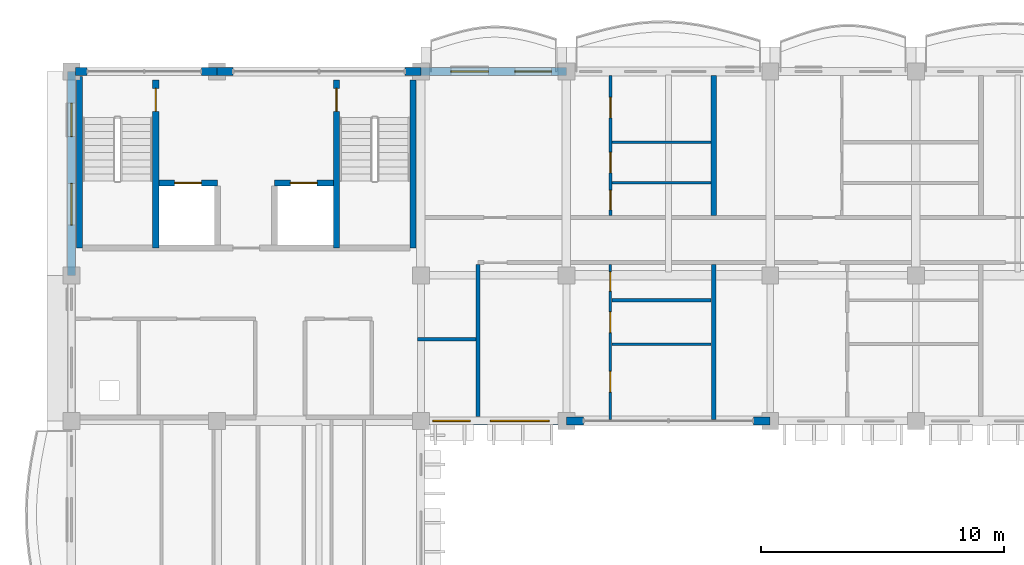
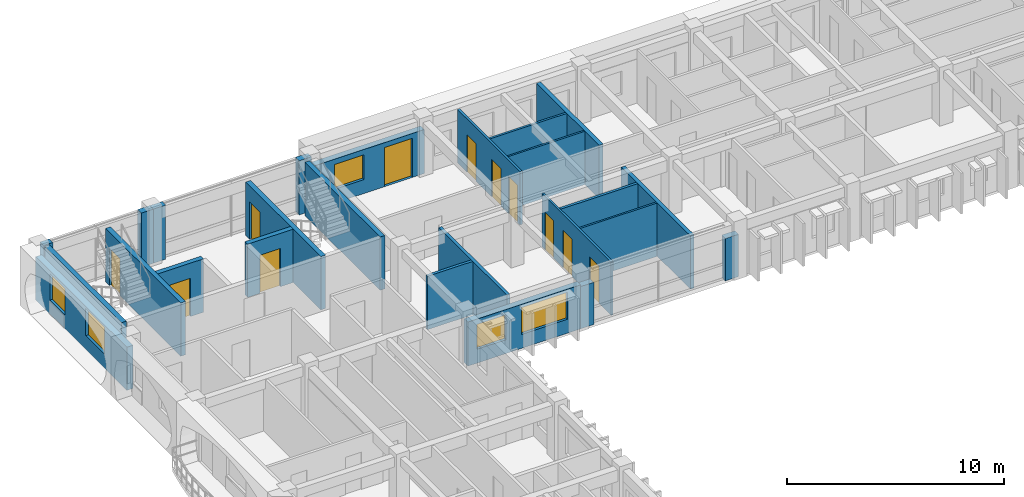
# One storey, part 32 of 76: 25 walls, 11 doors, 5 windows, 16 openings.
"""IFC4 building model written with IfcOpenShell, lengths in metres."""

from ifc_helpers import new_model, si_unit, direction, frame, frame_2d, origin, place, context, subcontext, project, spatial, rectangle, extrude, material, layer, layer_set, type_object, element, fill, save


model = new_model("IFC4")

# Units and contexts
model_context = context("Model", 3, precision=1e-05, world=origin(), true_north=direction((0.0, 1.0)))
body_context = subcontext(model_context, "Body", "Model", "MODEL_VIEW")
ifc_project = project(units=[si_unit("LENGTHUNIT", "METRE"), si_unit("AREAUNIT", "SQUARE_METRE"), si_unit("VOLUMEUNIT", "CUBIC_METRE"), si_unit("PLANEANGLEUNIT", "RADIAN"), si_unit("MASSUNIT", "GRAM", prefix="KILO"), si_unit("THERMODYNAMICTEMPERATUREUNIT", "KELVIN")], contexts=[model_context])

# Site, building, storey
site_placement = place(None, origin())
site = spatial("IfcSite", under=ifc_project, at=site_placement, CompositionType="ELEMENT")
building_placement = place(site_placement, origin())
building = spatial("IfcBuilding", under=site, at=building_placement, Name="Thalorik Housing Commons", CompositionType="ELEMENT")
storey_placement = place(building_placement, frame((0.0, 0.0, 18.0)))
storey = spatial("IfcBuildingStorey", under=building, at=storey_placement, Name="L05", CompositionType="ELEMENT", Elevation=18.0)

# Wall, opening, door
ifc_material_1 = material(Name="Concrete C40/50", Category="concrete")
ifc_layer_1 = layer(ifc_material_1, 0.25, Name="Concrete C40/50", Category="concrete")
ifc_layer_set_1 = layer_set([ifc_layer_1], Name="Concrete C40/50")
wall_type_1 = type_object("IfcWallType", Name="ARC-WAL-CORE-250", PredefinedType="SHEAR", material=ifc_layer_set_1)
wall_1_placement = place(storey_placement, frame((11.875, 123.25, 0.0), z_axis=(0.0, 0.0, 1.0), x_axis=(0.0, -1.0, 0.0)))
wall_1 = element("IfcWall", 1, at=wall_1_placement, inside=storey, type_object=wall_type_1, Name="L05 Core A Stair 1 Shear Wall", PredefinedType="SHEAR", context=body_context, shape_type="SweptSolid", body=[
    extrude(rectangle(XDim=6.925048828125, YDim=0.25, at=frame_2d((3.46240234375, 0.0))), origin(), (0.0, 0.0, 1.0), 3.0),
])
opening_1_placement = place(wall_1_placement, frame((0.35009765625, 0.0, 0.0)))
opening_1 = element("IfcOpeningElement", 2, at=opening_1_placement, cuts=wall_1, Name="Opening ID-0049", PredefinedType="OPENING", context=body_context, shape_type="SweptSolid", body=[
    extrude(rectangle(XDim=0.949951171875, YDim=2.10009765625, at=frame_2d((0.47509765625, 1.050048828125))), frame((0.0, 0.135009765625, 0.0), z_axis=(0.0, -1.0, 0.0), x_axis=(1.0, 0.0, 0.0)), (0.0, 0.0, 1.0), 0.27001953125),
])
ifc_material_2 = material(Name="Steel S355", Category="steel")
door_type_1 = type_object("IfcDoorType", Name="ARC-DR-FD60-950", OperationType="NOTDEFINED", PredefinedType="DOOR", material=ifc_material_2)
door_1_placement = place(opening_1_placement, origin())
door_1 = element("IfcDoor", 3, at=door_1_placement, inside=storey, type_object=door_type_1, Name="L05 Stair ST-A1 Fire Door", OperationType="SINGLE_SWING_RIGHT", OverallHeight=2.10009765625, OverallWidth=0.949951171875, PredefinedType="DOOR", context=body_context, shape_type="SweptSolid", body=[
    extrude(rectangle(XDim=0.949951171875, YDim=2.10009765625, at=frame_2d((0.47509765625, 1.050048828125))), frame((0.0, 0.02490234375, 0.0), z_axis=(0.0, -1.0, 0.0), x_axis=(1.0, 0.0, 0.0)), (0.0, 0.0, 1.0), 0.050048828125),
])
fill(opening_1, door_1)

# Walls
wall_2_placement = place(storey_placement, frame((8.72509765625, 123.39990234375, 0.0), z_axis=(0.0, 0.0, 1.0), x_axis=(0.0, -1.0, 0.0)))
element("IfcWall", 4, at=wall_2_placement, inside=storey, type_object=wall_type_1, Name="L05 Core A Stair 1 Outer Shear Wall", PredefinedType="SHEAR", context=body_context, shape_type="SweptSolid", body=[
    extrude(rectangle(XDim=7.074951171875, YDim=0.25, at=frame_2d((3.53759765625, 0.0))), origin(), (0.0, 0.0, 1.0), 3.0),
])
wall_3_placement = place(storey_placement, frame((22.47509765625, 123.25, 0.0), z_axis=(0.0, 0.0, 1.0), x_axis=(0.0, -1.0, 0.0)))
element("IfcWall", 5, at=wall_3_placement, inside=storey, type_object=wall_type_1, Name="L05 Core A Stair 2 Outer Shear Wall", PredefinedType="SHEAR", context=body_context, shape_type="SweptSolid", body=[
    extrude(rectangle(XDim=6.925048828125, YDim=0.25, at=frame_2d((3.46240234375, 0.0))), origin(), (0.0, 0.0, 1.0), 3.0),
])

# Wall, opening, door
wall_4_placement = place(storey_placement, frame((19.324951171875, 123.25, 0.0), z_axis=(0.0, 0.0, 1.0), x_axis=(0.0, -1.0, 0.0)))
wall_4 = element("IfcWall", 6, at=wall_4_placement, inside=storey, type_object=wall_type_1, Name="L05 Core A Stair 2 Shear Wall", PredefinedType="SHEAR", context=body_context, shape_type="SweptSolid", body=[
    extrude(rectangle(XDim=6.925048828125, YDim=0.25, at=frame_2d((3.46240234375, 0.0))), origin(), (0.0, 0.0, 1.0), 3.0),
])
opening_2_placement = place(wall_4_placement, frame((0.35009765625, 0.0, 0.0)))
opening_2 = element("IfcOpeningElement", 7, at=opening_2_placement, cuts=wall_4, Name="Opening ID-0050", PredefinedType="OPENING", context=body_context, shape_type="SweptSolid", body=[
    extrude(rectangle(XDim=0.949951171875, YDim=2.10009765625, at=frame_2d((0.47509765625, 1.050048828125))), frame((0.0, 0.135009765625, 0.0), z_axis=(0.0, -1.0, 0.0), x_axis=(1.0, 0.0, 0.0)), (0.0, 0.0, 1.0), 0.27001953125),
])
door_2_placement = place(opening_2_placement, origin())
door_2 = element("IfcDoor", 8, at=door_2_placement, inside=storey, type_object=door_type_1, Name="L05 Stair ST-A2 Fire Door", OperationType="SINGLE_SWING_LEFT", OverallHeight=2.10009765625, OverallWidth=0.949951171875, PredefinedType="DOOR", context=body_context, shape_type="SweptSolid", body=[
    extrude(rectangle(XDim=0.949951171875, YDim=2.10009765625, at=frame_2d((0.47509765625, 1.050048828125))), frame((0.0, 0.02490234375, 0.0), z_axis=(0.0, -1.0, 0.0), x_axis=(1.0, 0.0, 0.0)), (0.0, 0.0, 1.0), 0.050048828125),
])
fill(opening_2, door_2)

wall_5_placement = place(storey_placement, frame((12.0, 119.0, 0.0), z_axis=(0.0, 0.0, 1.0), x_axis=(1.0, 0.0, 0.0)))
wall_5 = element("IfcWall", 9, at=wall_5_placement, inside=storey, type_object=wall_type_1, Name="L05 Lift LF-A1 Front Shaft Wall", PredefinedType="SHEAR", context=body_context, shape_type="SweptSolid", body=[
    extrude(rectangle(XDim=2.425048828125, YDim=0.25, at=frame_2d((1.21240234375, 0.0))), origin(), (0.0, 0.0, 1.0), 3.0),
])
opening_3_placement = place(wall_5_placement, frame((0.64990234375, 0.0, 0.0)))
opening_3 = element("IfcOpeningElement", 10, at=opening_3_placement, cuts=wall_5, Name="Opening LD-LF-A1-L05", PredefinedType="OPENING", context=body_context, shape_type="SweptSolid", body=[
    extrude(rectangle(XDim=1.10009765625, YDim=2.14990234375, at=frame_2d((0.550048828125, 1.074951171875))), frame((0.0, 0.135009765625, 0.0), z_axis=(0.0, -1.0, 0.0), x_axis=(1.0, 0.0, 0.0)), (0.0, 0.0, 1.0), 0.27001953125),
])
door_type_2 = type_object("IfcDoorType", Name="ARC-DR-LIFT-1100", OperationType="NOTDEFINED", PredefinedType="DOOR", material=ifc_material_2)
door_3_placement = place(opening_3_placement, origin())
door_3 = element("IfcDoor", 11, at=door_3_placement, inside=storey, type_object=door_type_2, Name="L05 Lift LF-A1 Landing Door", OperationType="SLIDING_TO_LEFT", OverallHeight=2.14990234375, OverallWidth=1.10009765625, PredefinedType="DOOR", context=body_context, shape_type="SweptSolid", body=[
    extrude(rectangle(XDim=1.10009765625, YDim=2.14990234375, at=frame_2d((0.550048828125, 1.074951171875))), frame((0.0, 0.02490234375, 0.0), z_axis=(0.0, -1.0, 0.0), x_axis=(1.0, 0.0, 0.0)), (0.0, 0.0, 1.0), 0.050048828125),
])
fill(opening_3, door_3)

wall_6_placement = place(storey_placement, frame((16.77490234375, 119.0, 0.0), z_axis=(0.0, 0.0, 1.0), x_axis=(1.0, 0.0, 0.0)))
wall_6 = element("IfcWall", 12, at=wall_6_placement, inside=storey, type_object=wall_type_1, Name="L05 Lift LP-A2 Front Shaft Wall", PredefinedType="SHEAR", context=body_context, shape_type="SweptSolid", body=[
    extrude(rectangle(XDim=2.425048828125, YDim=0.25, at=frame_2d((1.21240234375, 0.0))), origin(), (0.0, 0.0, 1.0), 3.0),
])
opening_4_placement = place(wall_6_placement, frame((0.64990234375, 0.0, 0.0)))
opening_4 = element("IfcOpeningElement", 13, at=opening_4_placement, cuts=wall_6, Name="Opening LD-LP-A2-L05", PredefinedType="OPENING", context=body_context, shape_type="SweptSolid", body=[
    extrude(rectangle(XDim=1.10009765625, YDim=2.14990234375, at=frame_2d((0.550048828125, 1.074951171875))), frame((0.0, 0.135009765625, 0.0), z_axis=(0.0, -1.0, 0.0), x_axis=(1.0, 0.0, 0.0)), (0.0, 0.0, 1.0), 0.27001953125),
])
door_4_placement = place(opening_4_placement, origin())
door_4 = element("IfcDoor", 14, at=door_4_placement, inside=storey, type_object=door_type_2, Name="L05 Lift LP-A2 Landing Door", OperationType="SLIDING_TO_LEFT", OverallHeight=2.14990234375, OverallWidth=1.10009765625, PredefinedType="DOOR", context=body_context, shape_type="SweptSolid", body=[
    extrude(rectangle(XDim=1.10009765625, YDim=2.14990234375, at=frame_2d((0.550048828125, 1.074951171875))), frame((0.0, 0.02490234375, 0.0), z_axis=(0.0, -1.0, 0.0), x_axis=(1.0, 0.0, 0.0)), (0.0, 0.0, 1.0), 0.050048828125),
])
fill(opening_4, door_4)

# Walls
ifc_material_3 = material(Name="Masonry fire-rated corridor wall", Category="masonry")
ifc_layer_2 = layer(ifc_material_3, 0.14990234375, Name="Masonry fire-rated corridor wall", Category="masonry")
ifc_layer_set_2 = layer_set([ifc_layer_2], Name="Masonry fire-rated corridor wall")
wall_type_2 = type_object("IfcWallType", Name="ARC-WAL-CORR-150", PredefinedType="PARTITIONING", material=ifc_layer_set_2)
wall_7_placement = place(storey_placement, frame((22.659912109375, 112.570068359375, 0.0), z_axis=(0.0, 0.0, 1.0), x_axis=(1.0, 0.0, 0.0)))
element("IfcWall", 15, at=wall_7_placement, inside=storey, type_object=wall_type_2, Name="L05 Block A Vestibule South Wall", PredefinedType="PARTITIONING", context=body_context, shape_type="SweptSolid", body=[
    extrude(rectangle(XDim=2.405517578125, YDim=0.14990234375, at=frame_2d((1.20263671875, 0.0))), origin(), (0.0, 0.0, 1.0), 3.0),
])
ifc_layer_3 = layer(ifc_material_3, 0.1650390625, Name="Masonry fire-rated corridor wall", Category="masonry")
ifc_layer_set_3 = layer_set([ifc_layer_3], Name="Masonry fire-rated corridor wall")
wall_type_3 = type_object("IfcWallType", Name="ARC-WAL-CORR-165", PredefinedType="PARTITIONING", material=ifc_layer_set_3)
wall_8_placement = place(storey_placement, frame((25.14990234375, 109.369384765625, 0.0), z_axis=(0.0, 0.0, 1.0), x_axis=(0.0, 1.0, 0.0)))
element("IfcWall", 16, at=wall_8_placement, inside=storey, type_object=wall_type_3, Name="L05 Block A Vestibule Cheek Wall", PredefinedType="PARTITIONING", context=body_context, shape_type="SweptSolid", body=[
    extrude(rectangle(XDim=6.26611328125, YDim=0.1650390625, at=frame_2d((3.133056640625, 0.0))), origin(), (0.0, 0.0, 1.0), 3.0),
])

# Wall, openings, windows
ifc_material_4 = material(Name="White precast concrete C40/50", Category="concrete")
ifc_layer_4 = layer(ifc_material_4, 0.3349609375, Name="White precast concrete C40/50", Category="concrete")
ifc_layer_set_4 = layer_set([ifc_layer_4], Name="White precast concrete C40/50")
wall_type_4 = type_object("IfcWallType", Name="ARC-WAL-EXT-335", PredefinedType="STANDARD", material=ifc_layer_set_4)
wall_9_placement = place(storey_placement, frame((22.800048828125, 109.199951171875, 0.0), z_axis=(0.0, 0.0, 1.0), x_axis=(1.0, 0.0, 0.0)))
wall_9 = element("IfcWall", 17, at=wall_9_placement, inside=storey, type_object=wall_type_4, Name="L05 Exterior Wall WAL-EXT-L05-A-0141", PredefinedType="STANDARD", context=body_context, shape_type="SweptSolid", body=[
    extrude(rectangle(XDim=6.0, YDim=0.3349609375, at=frame_2d((3.0, 0.0))), origin(), (0.0, 0.0, 1.0), 2.47509765625),
])
opening_5_placement = place(wall_9_placement, frame((0.4951171875, 0.0, 0.780029296875)))
opening_5 = element("IfcOpeningElement", 18, at=opening_5_placement, cuts=wall_9, Name="Opening W-12", PredefinedType="OPENING", context=body_context, shape_type="SweptSolid", body=[
    extrude(rectangle(XDim=1.550048828125, YDim=1.39990234375, at=frame_2d((0.77490234375, 0.699951171875))), frame((0.0, 0.177490234375, 0.0), z_axis=(0.0, -1.0, 0.0), x_axis=(1.0, 0.0, 0.0)), (0.0, 0.0, 1.0), 0.35498046875),
])
opening_6_placement = place(wall_9_placement, frame((2.8701171875, 0.0, 0.780029296875)))
opening_6 = element("IfcOpeningElement", 19, at=opening_6_placement, cuts=wall_9, Name="Opening W-70", PredefinedType="OPENING", context=body_context, shape_type="SweptSolid", body=[
    extrude(rectangle(XDim=2.419921875, YDim=1.52001953125, at=frame_2d((1.2099609375, 0.760009765625))), frame((0.0, 0.177490234375, 0.0), z_axis=(0.0, -1.0, 0.0), x_axis=(1.0, 0.0, 0.0)), (0.0, 0.0, 1.0), 0.35498046875),
])
ifc_material_5 = material(Name="Anodised aluminium and solar-control low-E glass", Category="aluminium")
window_type_1 = type_object("IfcWindowType", Name="ARC-WIN-12", PartitioningType="SINGLE_PANEL", PredefinedType="WINDOW", material=ifc_material_5)
window_1_placement = place(opening_5_placement, origin())
window_1 = element("IfcWindow", 20, at=window_1_placement, inside=storey, type_object=window_type_1, Name="L05 Facade Window 255", OverallHeight=1.39990234375, OverallWidth=1.550048828125, PartitioningType="SINGLE_PANEL", PredefinedType="WINDOW", context=body_context, shape_type="SweptSolid", body=[
    extrude(rectangle(XDim=1.550048828125, YDim=1.39990234375, at=frame_2d((0.77490234375, 0.699951171875))), frame((0.0, 0.030029296875, 0.0), z_axis=(0.0, -1.0, 0.0), x_axis=(1.0, 0.0, 0.0)), (0.0, 0.0, 1.0), 0.06005859375),
])
fill(opening_5, window_1)
window_type_2 = type_object("IfcWindowType", Name="ARC-WIN-70", PartitioningType="DOUBLE_PANEL_VERTICAL", PredefinedType="WINDOW", material=ifc_material_5)
window_2_placement = place(opening_6_placement, origin())
window_2 = element("IfcWindow", 21, at=window_2_placement, inside=storey, type_object=window_type_2, Name="L05 Facade Window 256", OverallHeight=1.52001953125, OverallWidth=2.419921875, PartitioningType="DOUBLE_PANEL_VERTICAL", PredefinedType="WINDOW", context=body_context, shape_type="SweptSolid", body=[
    extrude(rectangle(XDim=2.419921875, YDim=1.52001953125, at=frame_2d((1.2099609375, 0.760009765625))), frame((0.0, 0.030029296875, 0.0), z_axis=(0.0, -1.0, 0.0), x_axis=(1.0, 0.0, 0.0)), (0.0, 0.0, 1.0), 0.06005859375),
])
fill(opening_6, window_2)

# Walls
for number, where, z_axis, x_axis, name in (
    (22, (28.800048828125, 109.199951171875, 0.0), (0.0, 0.0, 1.0), (1.0, 0.0, 0.0), "L05 Exterior Wall WAL-PIERL-L05-A-0142"),
    (23, (36.5, 109.199951171875, 0.0), (0.0, 0.0, 1.0), (1.0, 0.0, 0.0), "L05 Exterior Wall WAL-PIERR-L05-A-0142"),
):
    element("IfcWall", number, at=place(storey_placement, frame(where, z_axis=z_axis, x_axis=x_axis)), inside=storey, type_object=wall_type_4, Name=name, PredefinedType="STANDARD", context=body_context, shape_type="SweptSolid", body=[
        extrude(rectangle(XDim=0.699951171875, YDim=0.3349609375, at=frame_2d((0.35009765625, 0.0))), origin(), (0.0, 0.0, 1.0), 2.375),
    ])

# Wall, openings, door, window
wall_10_placement = place(storey_placement, frame((28.800048828125, 123.60009765625, 0.0), z_axis=(0.0, 0.0, 1.0), x_axis=(-1.0, 0.0, 0.0)))
wall_10 = element("IfcWall", 24, at=wall_10_placement, inside=storey, type_object=wall_type_4, Name="L05 Exterior Wall WAL-EXT-L05-A-0152", PredefinedType="STANDARD", context=body_context, shape_type="SweptSolid", body=[
    extrude(rectangle(XDim=6.0, YDim=0.3349609375, at=frame_2d((3.0, 0.0))), origin(), (0.0, 0.0, 1.0), 2.47509765625),
])
opening_7_placement = place(wall_10_placement, frame((0.6201171875, 0.0, 0.0)))
opening_7 = element("IfcOpeningElement", 25, at=opening_7_placement, cuts=wall_10, Name="Opening ED-0044", PredefinedType="OPENING", context=body_context, shape_type="SweptSolid", body=[
    extrude(rectangle(XDim=1.5, YDim=2.199951171875, at=frame_2d((0.75, 1.10009765625))), frame((0.0, 0.177490234375, 0.0), z_axis=(0.0, -1.0, 0.0), x_axis=(1.0, 0.0, 0.0)), (0.0, 0.0, 1.0), 0.35498046875),
])
opening_8_placement = place(wall_10_placement, frame((3.215087890625, 0.0, 0.780029296875)))
opening_8 = element("IfcOpeningElement", 26, at=opening_8_placement, cuts=wall_10, Name="Opening W-12", PredefinedType="OPENING", context=body_context, shape_type="SweptSolid", body=[
    extrude(rectangle(XDim=1.550048828125, YDim=1.39990234375, at=frame_2d((0.77490234375, 0.699951171875))), frame((0.0, 0.177490234375, 0.0), z_axis=(0.0, -1.0, 0.0), x_axis=(1.0, 0.0, 0.0)), (0.0, 0.0, 1.0), 0.35498046875),
])
ifc_material_6 = material(Name="Anodised aluminium and laminated safety glass", Category="aluminium")
door_type_3 = type_object("IfcDoorType", Name="ARC-DR-BAL-1500", OperationType="NOTDEFINED", PredefinedType="DOOR", material=ifc_material_6)
door_5_placement = place(opening_7_placement, frame((1.5, 0.0, 0.0), z_axis=(0.0, 0.0, 1.0), x_axis=(-1.0, 0.0, 0.0)))
door_5 = element("IfcDoor", 27, at=door_5_placement, inside=storey, type_object=door_type_3, Name="L05 Block A Balcony Glazed Door", OperationType="SLIDING_TO_RIGHT", OverallHeight=2.199951171875, OverallWidth=1.5, PredefinedType="DOOR", context=body_context, shape_type="SweptSolid", body=[
    extrude(rectangle(XDim=1.5, YDim=2.199951171875, at=frame_2d((0.75, 1.10009765625))), frame((0.0, 0.02490234375, 0.0), z_axis=(0.0, -1.0, 0.0), x_axis=(1.0, 0.0, 0.0)), (0.0, 0.0, 1.0), 0.050048828125),
])
fill(opening_7, door_5)
window_3_placement = place(opening_8_placement, origin())
window_3 = element("IfcWindow", 28, at=window_3_placement, inside=storey, type_object=window_type_1, Name="L05 Facade Window 274", OverallHeight=1.39990234375, OverallWidth=1.550048828125, PartitioningType="SINGLE_PANEL", PredefinedType="WINDOW", context=body_context, shape_type="SweptSolid", body=[
    extrude(rectangle(XDim=1.550048828125, YDim=1.39990234375, at=frame_2d((0.77490234375, 0.699951171875))), frame((0.0, 0.030029296875, 0.0), z_axis=(0.0, -1.0, 0.0), x_axis=(1.0, 0.0, 0.0)), (0.0, 0.0, 1.0), 0.06005859375),
])
fill(opening_8, window_3)

# Walls
for number, where, z_axis, x_axis, name in (
    (29, (22.800048828125, 123.60009765625, 0.0), (0.0, 0.0, 1.0), (-1.0, 0.0, 0.0), "L05 Exterior Wall WAL-PIERL-L05-A-0153"),
    (30, (15.050048828125, 123.60009765625, 0.0), (0.0, 0.0, 1.0), (-1.0, 0.0, 0.0), "L05 Exterior Wall WAL-PIERR-L05-A-0153"),
):
    element("IfcWall", number, at=place(storey_placement, frame(where, z_axis=z_axis, x_axis=x_axis)), inside=storey, type_object=wall_type_4, Name=name, PredefinedType="STANDARD", context=body_context, shape_type="SweptSolid", body=[
        extrude(rectangle(XDim=0.650146484375, YDim=0.3349609375, at=frame_2d((0.3251953125, 0.0))), origin(), (0.0, 0.0, 1.0), 3.0400390625),
    ])
wall_11_placement = place(storey_placement, frame((14.39990234375, 123.60009765625, 0.0), z_axis=(0.0, 0.0, 1.0), x_axis=(-1.0, 0.0, 0.0)))
element("IfcWall", 31, at=wall_11_placement, inside=storey, type_object=wall_type_4, Name="L05 Exterior Wall WAL-PIERL-L05-A-0154", PredefinedType="STANDARD", context=body_context, shape_type="SweptSolid", body=[
    extrude(rectangle(XDim=0.64990234375, YDim=0.3349609375, at=frame_2d((0.324951171875, 0.0))), origin(), (0.0, 0.0, 1.0), 3.0400390625),
])
wall_12_placement = place(storey_placement, frame((9.050048828125, 123.60009765625, 0.0), z_axis=(0.0, 0.0, 1.0), x_axis=(-1.0, 0.0, 0.0)))
element("IfcWall", 32, at=wall_12_placement, inside=storey, type_object=wall_type_4, Name="L05 Exterior Wall WAL-PIERR-L05-A-0154", PredefinedType="STANDARD", context=body_context, shape_type="SweptSolid", body=[
    extrude(rectangle(XDim=0.48046875, YDim=0.3349609375, at=frame_2d((0.240234375, 0.0))), origin(), (0.0, 0.0, 1.0), 3.0400390625),
])

# Wall, openings, windows
wall_13_placement = place(storey_placement, frame((8.39990234375, 123.60009765625, 0.0), z_axis=(0.0, 0.0, 1.0), x_axis=(0.0, -1.0, 0.0)))
wall_13 = element("IfcWall", 33, at=wall_13_placement, inside=storey, type_object=wall_type_4, Name="L05 Exterior Wall WAL-EXT-L05-A-0155", PredefinedType="STANDARD", context=body_context, shape_type="SweptSolid", body=[
    extrude(rectangle(XDim=8.400146484375, YDim=0.3349609375, at=frame_2d((4.2001953125, 0.0))), origin(), (0.0, 0.0, 1.0), 2.425048828125),
])
opening_9_placement = place(wall_13_placement, frame((1.306396484375, 0.0, 0.780029296875)))
opening_9 = element("IfcOpeningElement", 34, at=opening_9_placement, cuts=wall_13, Name="Opening W-49", PredefinedType="OPENING", context=body_context, shape_type="SweptSolid", body=[
    extrude(rectangle(XDim=1.3798828125, YDim=1.47998046875, at=frame_2d((0.68994140625, 0.739990234375))), frame((0.0, 0.177490234375, 0.0), z_axis=(0.0, -1.0, 0.0), x_axis=(1.0, 0.0, 0.0)), (0.0, 0.0, 1.0), 0.35498046875),
])
opening_10_placement = place(wall_13_placement, frame((4.608642578125, 0.0, 0.780029296875)))
opening_10 = element("IfcOpeningElement", 35, at=opening_10_placement, cuts=wall_13, Name="Opening W-56", PredefinedType="OPENING", context=body_context, shape_type="SweptSolid", body=[
    extrude(rectangle(XDim=1.719970703125, YDim=1.52001953125, at=frame_2d((0.85986328125, 0.760009765625))), frame((0.0, 0.177490234375, 0.0), z_axis=(0.0, -1.0, 0.0), x_axis=(1.0, 0.0, 0.0)), (0.0, 0.0, 1.0), 0.35498046875),
])
window_type_3 = type_object("IfcWindowType", Name="ARC-WIN-49", PartitioningType="SINGLE_PANEL", PredefinedType="WINDOW", material=ifc_material_5)
window_4_placement = place(opening_9_placement, origin())
window_4 = element("IfcWindow", 36, at=window_4_placement, inside=storey, type_object=window_type_3, Name="L05 Facade Window 275", OverallHeight=1.47998046875, OverallWidth=1.3798828125, PartitioningType="SINGLE_PANEL", PredefinedType="WINDOW", context=body_context, shape_type="SweptSolid", body=[
    extrude(rectangle(XDim=1.3798828125, YDim=1.47998046875, at=frame_2d((0.68994140625, 0.739990234375))), frame((0.0, 0.030029296875, 0.0), z_axis=(0.0, -1.0, 0.0), x_axis=(1.0, 0.0, 0.0)), (0.0, 0.0, 1.0), 0.06005859375),
])
fill(opening_9, window_4)
window_type_4 = type_object("IfcWindowType", Name="ARC-WIN-56", PartitioningType="DOUBLE_PANEL_VERTICAL", PredefinedType="WINDOW", material=ifc_material_5)
window_5_placement = place(opening_10_placement, origin())
window_5 = element("IfcWindow", 37, at=window_5_placement, inside=storey, type_object=window_type_4, Name="L05 Facade Window 276", OverallHeight=1.52001953125, OverallWidth=1.719970703125, PartitioningType="DOUBLE_PANEL_VERTICAL", PredefinedType="WINDOW", context=body_context, shape_type="SweptSolid", body=[
    extrude(rectangle(XDim=1.719970703125, YDim=1.52001953125, at=frame_2d((0.85986328125, 0.760009765625))), frame((0.0, 0.030029296875, 0.0), z_axis=(0.0, -1.0, 0.0), x_axis=(1.0, 0.0, 0.0)), (0.0, 0.0, 1.0), 0.06005859375),
])
fill(opening_10, window_5)

# Walls
ifc_material_7 = material(Name="Gypsum light stud partition", Category="masonry")
ifc_layer_5 = layer(ifc_material_7, 0.10009765625, Name="Gypsum light stud partition", Category="masonry")
ifc_layer_set_5 = layer_set([ifc_layer_5], Name="Gypsum light stud partition")
wall_type_5 = type_object("IfcWallType", Name="ARC-WAL-PART-100", PredefinedType="PARTITIONING", material=ifc_layer_set_5)
wall_14_placement = place(storey_placement, frame((30.66943359375, 112.36083984375, 0.0), z_axis=(0.0, 0.0, 1.0), x_axis=(1.0, 0.0, 0.0)))
element("IfcWall", 38, at=wall_14_placement, inside=storey, type_object=wall_type_5, Name="L05 Unit 1 Bedroom Partition", PredefinedType="PARTITIONING", context=body_context, shape_type="SweptSolid", body=[
    extrude(rectangle(XDim=4.0986328125, YDim=0.10009765625, at=frame_2d((2.04931640625, 0.0))), origin(), (0.0, 0.0, 1.0), 3.0),
])
wall_15_placement = place(storey_placement, frame((30.68017578125, 119.010498046875, 0.0), z_axis=(0.0, 0.0, 1.0), x_axis=(1.0, 0.0, 0.0)))
element("IfcWall", 39, at=wall_15_placement, inside=storey, type_object=wall_type_5, Name="L05 Unit 1B Wet Wall", PredefinedType="PARTITIONING", context=body_context, shape_type="SweptSolid", body=[
    extrude(rectangle(XDim=4.077880859375, YDim=0.10009765625, at=frame_2d((2.0390625, 0.0))), origin(), (0.0, 0.0, 1.0), 3.0),
])

# Wall, openings, doors
ifc_material_8 = material(Name="Gypsum moisture-resistant partition", Category="masonry")
ifc_layer_6 = layer(ifc_material_8, 0.114990234375, Name="Gypsum moisture-resistant partition", Category="masonry")
ifc_layer_set_6 = layer_set([ifc_layer_6], Name="Gypsum moisture-resistant partition")
wall_type_6 = type_object("IfcWallType", Name="ARC-WAL-PART-115", PredefinedType="PARTITIONING", material=ifc_layer_set_6)
wall_16_placement = place(storey_placement, frame((30.610107421875, 109.260009765625, 0.0), z_axis=(0.0, 0.0, 1.0), x_axis=(0.0, 1.0, 0.0)))
wall_16 = element("IfcWall", 40, at=wall_16_placement, inside=storey, type_object=wall_type_6, Name="L05 Unit 1 Spine Partition", PredefinedType="PARTITIONING", context=body_context, shape_type="SweptSolid", body=[
    extrude(rectangle(XDim=6.37548828125, YDim=0.114990234375, at=frame_2d((3.187744140625, 0.0))), origin(), (0.0, 0.0, 1.0), 3.0),
])
opening_11_placement = place(wall_16_placement, frame((1.12548828125, 0.0, 0.0)))
opening_11 = element("IfcOpeningElement", 41, at=opening_11_placement, cuts=wall_16, Name="Opening ID-0597", PredefinedType="OPENING", context=body_context, shape_type="SweptSolid", body=[
    extrude(rectangle(XDim=0.85009765625, YDim=2.10009765625, at=frame_2d((0.425048828125, 1.050048828125))), frame((0.0, 0.0673828125, 0.0), z_axis=(0.0, -1.0, 0.0), x_axis=(1.0, 0.0, 0.0)), (0.0, 0.0, 1.0), 0.135009765625),
])
opening_12_placement = place(wall_16_placement, frame((3.580078125, 0.0, 0.0)))
opening_12 = element("IfcOpeningElement", 42, at=opening_12_placement, cuts=wall_16, Name="Opening ID-0598", PredefinedType="OPENING", context=body_context, shape_type="SweptSolid", body=[
    extrude(rectangle(XDim=0.85009765625, YDim=2.10009765625, at=frame_2d((0.425048828125, 1.050048828125))), frame((0.0, 0.0673828125, 0.0), z_axis=(0.0, -1.0, 0.0), x_axis=(1.0, 0.0, 0.0)), (0.0, 0.0, 1.0), 0.135009765625),
])
opening_13_placement = place(wall_16_placement, frame((5.284912109375, 0.0, 0.0)))
opening_13 = element("IfcOpeningElement", 43, at=opening_13_placement, cuts=wall_16, Name="Opening ID-0599", PredefinedType="OPENING", context=body_context, shape_type="SweptSolid", body=[
    extrude(rectangle(XDim=0.800048828125, YDim=2.10009765625, at=frame_2d((0.39990234375, 1.050048828125))), frame((0.0, 0.0673828125, 0.0), z_axis=(0.0, -1.0, 0.0), x_axis=(1.0, 0.0, 0.0)), (0.0, 0.0, 1.0), 0.135009765625),
])
ifc_material_9 = material(Name="Moisture-resistant timber", Category="wood")
door_type_4 = type_object("IfcDoorType", Name="ARC-DR-INT-800", OperationType="NOTDEFINED", PredefinedType="DOOR", material=ifc_material_9)
door_6_placement = place(opening_13_placement, origin())
door_6 = element("IfcDoor", 44, at=door_6_placement, inside=storey, type_object=door_type_4, Name="L05 Flat Bathroom Door", OperationType="SINGLE_SWING_RIGHT", OverallHeight=2.10009765625, OverallWidth=0.800048828125, PredefinedType="DOOR", context=body_context, shape_type="SweptSolid", body=[
    extrude(rectangle(XDim=0.800048828125, YDim=2.10009765625, at=frame_2d((0.39990234375, 1.050048828125))), frame((0.0, 0.02490234375, 0.0), z_axis=(0.0, -1.0, 0.0), x_axis=(1.0, 0.0, 0.0)), (0.0, 0.0, 1.0), 0.050048828125),
])
fill(opening_13, door_6)
ifc_material_10 = material(Name="Engineered oak timber", Category="wood")
door_type_5 = type_object("IfcDoorType", Name="ARC-DR-INT-850", OperationType="NOTDEFINED", PredefinedType="DOOR", material=ifc_material_10)
door_7_placement = place(opening_11_placement, origin())
door_7 = element("IfcDoor", 45, at=door_7_placement, inside=storey, type_object=door_type_5, Name="L05 Master Bedroom Door", OperationType="SINGLE_SWING_RIGHT", OverallHeight=2.10009765625, OverallWidth=0.85009765625, PredefinedType="DOOR", context=body_context, shape_type="SweptSolid", body=[
    extrude(rectangle(XDim=0.85009765625, YDim=2.10009765625, at=frame_2d((0.425048828125, 1.050048828125))), frame((0.0, 0.02490234375, 0.0), z_axis=(0.0, -1.0, 0.0), x_axis=(1.0, 0.0, 0.0)), (0.0, 0.0, 1.0), 0.050048828125),
])
fill(opening_11, door_7)
door_8_placement = place(opening_12_placement, origin())
door_8 = element("IfcDoor", 46, at=door_8_placement, inside=storey, type_object=door_type_5, Name="L05 Galley Kitchen Door", OperationType="SINGLE_SWING_LEFT", OverallHeight=2.10009765625, OverallWidth=0.85009765625, PredefinedType="DOOR", context=body_context, shape_type="SweptSolid", body=[
    extrude(rectangle(XDim=0.85009765625, YDim=2.10009765625, at=frame_2d((0.425048828125, 1.050048828125))), frame((0.0, 0.02490234375, 0.0), z_axis=(0.0, -1.0, 0.0), x_axis=(1.0, 0.0, 0.0)), (0.0, 0.0, 1.0), 0.050048828125),
])
fill(opening_12, door_8)

# Wall
wall_17_placement = place(storey_placement, frame((30.68017578125, 120.67919921875, 0.0), z_axis=(0.0, 0.0, 1.0), x_axis=(1.0, 0.0, 0.0)))
element("IfcWall", 47, at=wall_17_placement, inside=storey, type_object=wall_type_6, Name="L05 Unit 1B Bedroom Partition", PredefinedType="PARTITIONING", context=body_context, shape_type="SweptSolid", body=[
    extrude(rectangle(XDim=4.077880859375, YDim=0.114990234375, at=frame_2d((2.0390625, 0.0))), origin(), (0.0, 0.0, 1.0), 3.0),
])

# Wall, openings, doors
ifc_material_11 = material(Name="Gypsum acoustic stud partition", Category="masonry")
ifc_layer_7 = layer(ifc_material_11, 0.125, Name="Gypsum acoustic stud partition", Category="masonry")
ifc_layer_set_7 = layer_set([ifc_layer_7], Name="Gypsum acoustic stud partition")
wall_type_7 = type_object("IfcWallType", Name="ARC-WAL-PART-125", PredefinedType="PARTITIONING", material=ifc_layer_set_7)
wall_18_placement = place(storey_placement, frame((30.615478515625, 117.656982421875, 0.0), z_axis=(0.0, 0.0, 1.0), x_axis=(0.0, 1.0, 0.0)))
wall_18 = element("IfcWall", 48, at=wall_18_placement, inside=storey, type_object=wall_type_7, Name="L05 Unit 1B Spine Partition", PredefinedType="PARTITIONING", context=body_context, shape_type="SweptSolid", body=[
    extrude(rectangle(XDim=5.7734375, YDim=0.125, at=frame_2d((2.88671875, 0.0))), origin(), (0.0, 0.0, 1.0), 3.0),
])
opening_14_placement = place(wall_18_placement, frame((0.23828125, 0.0, 0.0)))
opening_14 = element("IfcOpeningElement", 49, at=opening_14_placement, cuts=wall_18, Name="Opening ID-0600", PredefinedType="OPENING", context=body_context, shape_type="SweptSolid", body=[
    extrude(rectangle(XDim=0.800048828125, YDim=2.10009765625, at=frame_2d((0.39990234375, 1.050048828125))), frame((0.0, 0.072509765625, 0.0), z_axis=(0.0, -1.0, 0.0), x_axis=(1.0, 0.0, 0.0)), (0.0, 0.0, 1.0), 0.14501953125),
])
opening_15_placement = place(wall_18_placement, frame((1.7626953125, 0.0, 0.0)))
opening_15 = element("IfcOpeningElement", 50, at=opening_15_placement, cuts=wall_18, Name="Opening ID-0601", PredefinedType="OPENING", context=body_context, shape_type="SweptSolid", body=[
    extrude(rectangle(XDim=0.85009765625, YDim=2.10009765625, at=frame_2d((0.425048828125, 1.050048828125))), frame((0.0, 0.072509765625, 0.0), z_axis=(0.0, -1.0, 0.0), x_axis=(1.0, 0.0, 0.0)), (0.0, 0.0, 1.0), 0.14501953125),
])
opening_16_placement = place(wall_18_placement, frame((4.027587890625, 0.0, 0.0)))
opening_16 = element("IfcOpeningElement", 51, at=opening_16_placement, cuts=wall_18, Name="Opening ID-0602", PredefinedType="OPENING", context=body_context, shape_type="SweptSolid", body=[
    extrude(rectangle(XDim=0.85009765625, YDim=2.10009765625, at=frame_2d((0.425048828125, 1.050048828125))), frame((0.0, 0.072509765625, 0.0), z_axis=(0.0, -1.0, 0.0), x_axis=(1.0, 0.0, 0.0)), (0.0, 0.0, 1.0), 0.14501953125),
])
door_9_placement = place(opening_14_placement, origin())
door_9 = element("IfcDoor", 52, at=door_9_placement, inside=storey, type_object=door_type_4, Name="L05 Accessible Bathroom Door", OperationType="SINGLE_SWING_LEFT", OverallHeight=2.10009765625, OverallWidth=0.800048828125, PredefinedType="DOOR", context=body_context, shape_type="SweptSolid", body=[
    extrude(rectangle(XDim=0.800048828125, YDim=2.10009765625, at=frame_2d((0.39990234375, 1.050048828125))), frame((0.0, 0.02490234375, 0.0), z_axis=(0.0, -1.0, 0.0), x_axis=(1.0, 0.0, 0.0)), (0.0, 0.0, 1.0), 0.050048828125),
])
fill(opening_14, door_9)
door_10_placement = place(opening_15_placement, origin())
door_10 = element("IfcDoor", 53, at=door_10_placement, inside=storey, type_object=door_type_5, Name="L05 Eat-In Kitchen Door", OperationType="SINGLE_SWING_RIGHT", OverallHeight=2.10009765625, OverallWidth=0.85009765625, PredefinedType="DOOR", context=body_context, shape_type="SweptSolid", body=[
    extrude(rectangle(XDim=0.85009765625, YDim=2.10009765625, at=frame_2d((0.425048828125, 1.050048828125))), frame((0.0, 0.02490234375, 0.0), z_axis=(0.0, -1.0, 0.0), x_axis=(1.0, 0.0, 0.0)), (0.0, 0.0, 1.0), 0.050048828125),
])
fill(opening_15, door_10)
door_11_placement = place(opening_16_placement, origin())
door_11 = element("IfcDoor", 54, at=door_11_placement, inside=storey, type_object=door_type_5, Name="L05 Double Bedroom Door", OperationType="SINGLE_SWING_LEFT", OverallHeight=2.10009765625, OverallWidth=0.85009765625, PredefinedType="DOOR", context=body_context, shape_type="SweptSolid", body=[
    extrude(rectangle(XDim=0.85009765625, YDim=2.10009765625, at=frame_2d((0.425048828125, 1.050048828125))), frame((0.0, 0.02490234375, 0.0), z_axis=(0.0, -1.0, 0.0), x_axis=(1.0, 0.0, 0.0)), (0.0, 0.0, 1.0), 0.050048828125),
])
fill(opening_16, door_11)

# Walls
ifc_material_12 = material(Name="Ceramic masonry partition wall", Category="masonry")
ifc_layer_8 = layer(ifc_material_12, 0.139892578125, Name="Ceramic masonry partition wall", Category="masonry")
ifc_layer_set_8 = layer_set([ifc_layer_8], Name="Ceramic masonry partition wall")
wall_type_8 = type_object("IfcWallType", Name="ARC-WAL-PART-140", PredefinedType="PARTITIONING", material=ifc_layer_set_8)
wall_19_placement = place(storey_placement, frame((30.66943359375, 114.169677734375, 0.0), z_axis=(0.0, 0.0, 1.0), x_axis=(1.0, 0.0, 0.0)))
element("IfcWall", 55, at=wall_19_placement, inside=storey, type_object=wall_type_8, Name="L05 Unit 1 Wet Wall", PredefinedType="PARTITIONING", context=body_context, shape_type="SweptSolid", body=[
    extrude(rectangle(XDim=4.0986328125, YDim=0.139892578125, at=frame_2d((2.04931640625, 0.0))), origin(), (0.0, 0.0, 1.0), 3.0),
])
ifc_material_13 = material(Name="Precast concrete C40/50 acoustic wall", Category="concrete")
ifc_layer_9 = layer(ifc_material_13, 0.199951171875, Name="Precast concrete C40/50 acoustic wall", Category="concrete")
ifc_layer_set_9 = layer_set([ifc_layer_9], Name="Precast concrete C40/50 acoustic wall")
wall_type_9 = type_object("IfcWallType", Name="ARC-WAL-PARTY-200", PredefinedType="PARTITIONING", material=ifc_layer_set_9)
wall_20_placement = place(storey_placement, frame((34.8701171875, 109.260009765625, 0.0), z_axis=(0.0, 0.0, 1.0), x_axis=(0.0, 1.0, 0.0)))
element("IfcWall", 56, at=wall_20_placement, inside=storey, type_object=wall_type_9, Name="L05 Inter-Tenancy Wall 1A", PredefinedType="PARTITIONING", context=body_context, shape_type="SweptSolid", body=[
    extrude(rectangle(XDim=6.37548828125, YDim=0.199951171875, at=frame_2d((3.187744140625, 0.0))), origin(), (0.0, 0.0, 1.0), 3.0),
])
ifc_layer_10 = layer(ifc_material_13, 0.219970703125, Name="Precast concrete C40/50 acoustic wall", Category="concrete")
ifc_layer_set_10 = layer_set([ifc_layer_10], Name="Precast concrete C40/50 acoustic wall")
wall_type_10 = type_object("IfcWallType", Name="ARC-WAL-PARTY-220", PredefinedType="PARTITIONING", material=ifc_layer_set_10)
wall_21_placement = place(storey_placement, frame((34.8701171875, 117.656982421875, 0.0), z_axis=(0.0, 0.0, 1.0), x_axis=(0.0, 1.0, 0.0)))
element("IfcWall", 57, at=wall_21_placement, inside=storey, type_object=wall_type_10, Name="L05 Inter-Tenancy Wall 1B", PredefinedType="PARTITIONING", context=body_context, shape_type="SweptSolid", body=[
    extrude(rectangle(XDim=5.7734375, YDim=0.219970703125, at=frame_2d((2.88671875, 0.0))), origin(), (0.0, 0.0, 1.0), 3.0),
])

save(model, "model.ifc")
